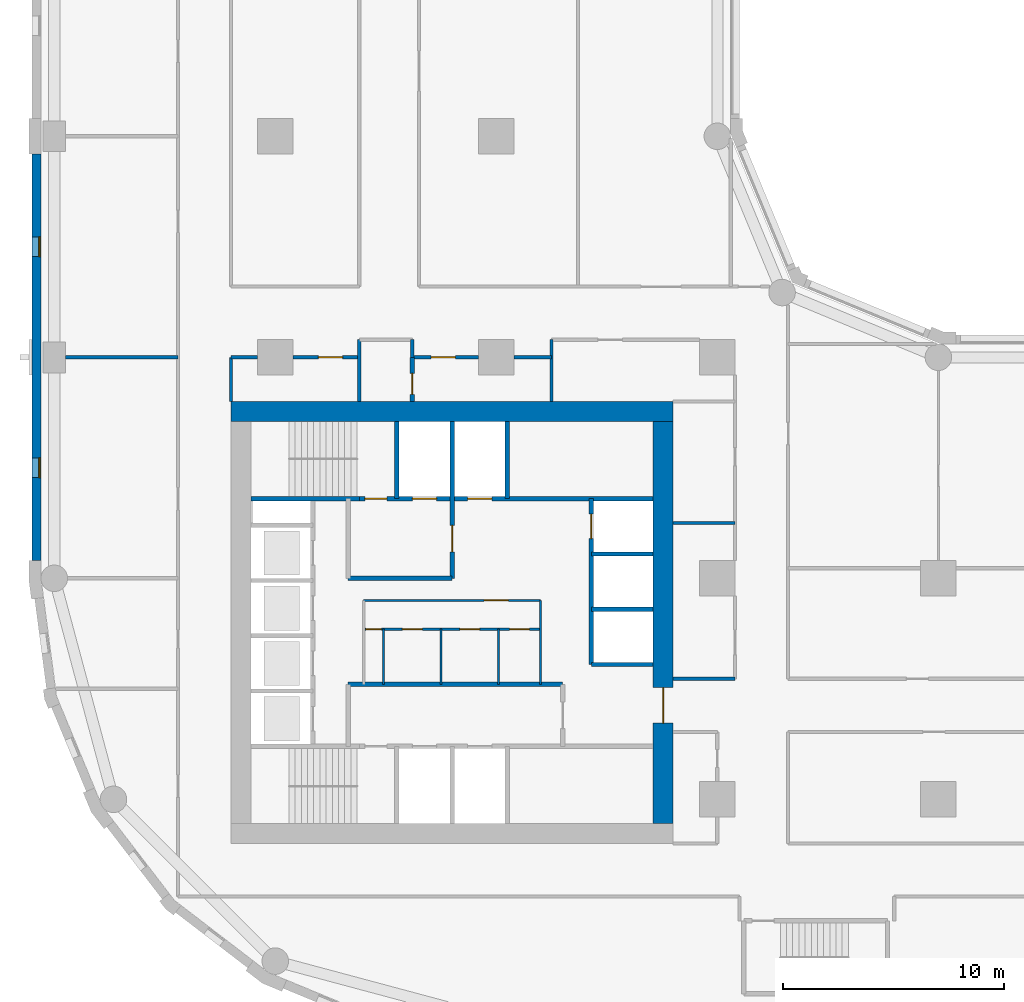
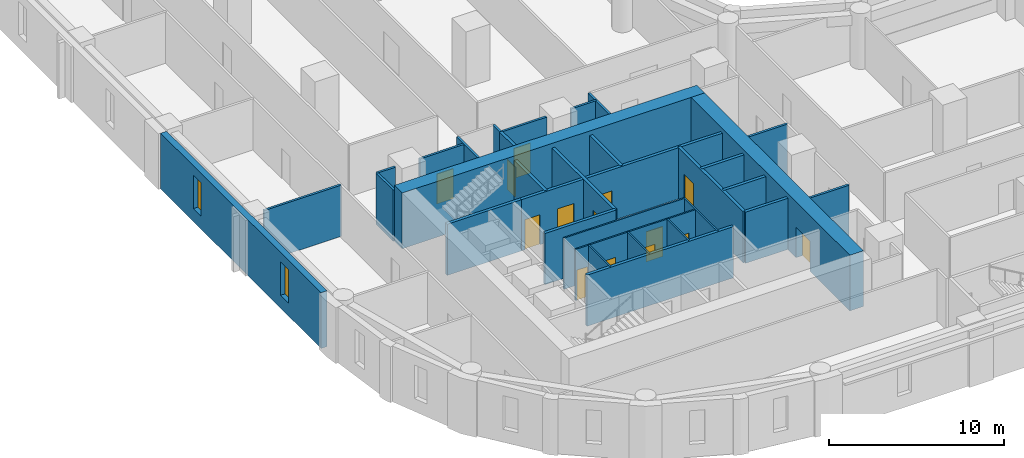
# One storey, part 3 of 10: 32 walls, 14 doors, 2 windows, 16 openings.
"""IFC4 building model written with IfcOpenShell, lengths in metres."""

import ifcopenshell
import ifcopenshell.guid

model = None  # the IFC model being written
_history = None  # IfcOwnerHistory: only IFC2X3 demands one
_inside = {}  # id of a spatial element -> (the spatial element, [elements in it])
_under = {}  # id of a project, library or spatial element -> (it, [spatial elements below it])
_declared = {}  # id of a project -> (the project, [libraries it declares])
_typed = {}  # id of a type object -> (the type object, [elements of that type])
_made_of = {}  # id of a material, layer set ... -> (it, [elements and type objects made of it])


def new_model(schema):
    """Start an empty IFC model of exactly this schema.

    Asked for "IFC4X3", IfcOpenShell would pick the latest addendum, in which some entities
    have other attributes; the version numbers below select the first issue.
    IFC2X3 requires an IfcOwnerHistory on every rooted entity: one is made here for all.
    """
    global model, _history
    if schema == "IFC4X3":
        model = ifcopenshell.file(schema_version=(4, 3, 0, 0))
    else:
        model = ifcopenshell.file(schema=schema)
    _inside.clear()
    _under.clear()
    _declared.clear()
    _typed.clear()
    _made_of.clear()
    _history = None
    if model.schema == "IFC2X3":
        org = make("IfcOrganization", Name="unknown")
        user = make(
            "IfcPersonAndOrganization",
            ThePerson=make("IfcPerson", FamilyName="unknown"),
            TheOrganization=org,
        )
        app = make(
            "IfcApplication",
            ApplicationDeveloper=org,
            Version="unknown",
            ApplicationFullName="unknown",
            ApplicationIdentifier="unknown",
        )
        _history = make(
            "IfcOwnerHistory",
            OwningUser=user,
            OwningApplication=app,
            ChangeAction="ADDED",
            CreationDate=0,
        )
    return model


def make(cls, **values):
    """One entity of the class cls with the attributes given. An attribute that is None is left unset."""
    return model.create_entity(
        cls, **{name: value for name, value in values.items() if value is not None}
    )


def rooted(cls, **values):
    """An entity with a GlobalId (a new one), such as an element, a storey or a relation."""
    return make(cls, GlobalId=ifcopenshell.guid.new(), OwnerHistory=_history, **values)


def si_unit(unit_type, name, prefix=None):
    """IfcSIUnit, for example si_unit("LENGTHUNIT", "METRE", prefix="MILLI")."""
    return make("IfcSIUnit", UnitType=unit_type, Prefix=prefix, Name=name)


def assignment(units):
    """IfcUnitAssignment: the units of a project."""
    return None if units is None else make("IfcUnitAssignment", Units=units)


def point(xyz):
    """IfcCartesianPoint."""
    return None if xyz is None else make("IfcCartesianPoint", Coordinates=xyz)


def direction(xyz):
    """IfcDirection."""
    return None if xyz is None else make("IfcDirection", DirectionRatios=xyz)


def frame(location, z_axis=None, x_axis=None):
    """IfcAxis2Placement3D, a coordinate frame: its origin and axes. An axis left out is left unset."""
    return make(
        "IfcAxis2Placement3D",
        Location=point(location),
        Axis=direction(z_axis),
        RefDirection=direction(x_axis),
    )


def frame_2d(location, x_axis=None):
    """IfcAxis2Placement2D, a coordinate frame in the plane: its origin and x axis."""
    return make(
        "IfcAxis2Placement2D", Location=point(location), RefDirection=direction(x_axis)
    )


def origin():
    """The frame at (0, 0, 0) with its axes left unset."""
    return frame((0.0, 0.0, 0.0))


def place(relative_to, where):
    """IfcLocalPlacement: puts the frame where relative to a parent placement (None: the world)."""
    return make(
        "IfcLocalPlacement", PlacementRelTo=relative_to, RelativePlacement=where
    )


def context(
    kind, dimensions, precision=None, world=None, true_north=None, identifier=None
):
    """IfcGeometricRepresentationContext, for example the 3D "Model" context."""
    return make(
        "IfcGeometricRepresentationContext",
        ContextIdentifier=identifier,
        ContextType=kind,
        CoordinateSpaceDimension=dimensions,
        Precision=precision,
        WorldCoordinateSystem=world,
        TrueNorth=true_north,
    )


def subcontext(parent, identifier, kind, view, scale=None):
    """IfcGeometricRepresentationSubContext, for example "Body" below "Model"."""
    return make(
        "IfcGeometricRepresentationSubContext",
        ContextIdentifier=identifier,
        ContextType=kind,
        ParentContext=parent,
        TargetScale=scale,
        TargetView=view,
    )


def project(units=None, contexts=None):
    """IfcProject with its units and contexts."""
    return rooted(
        "IfcProject",
        Name="project",
        RepresentationContexts=contexts,
        UnitsInContext=assignment(units),
    )


def spatial(cls, under=None, at=None, **own):
    """A site, building, storey or space (cls), placed at a placement, below another one or the project."""
    s = rooted(cls, ObjectPlacement=at, **own)
    if under is not None:
        _under.setdefault(under.id(), (under, []))[1].append(s)
    return s


def profile(cls, at=None, kind="AREA", **sizes):
    """A parametric profile (cls). Its sizes go by their IFC names, for example OverallWidth=200.0."""
    return make(cls, ProfileType=kind, Position=at, **sizes)


def rectangle(**sizes):
    """IfcRectangleProfileDef."""
    return profile("IfcRectangleProfileDef", **sizes)


def extrude(swept, where, along, depth):
    """IfcExtrudedAreaSolid: the profile swept, set in the frame where, extruded along a direction by depth."""
    return make(
        "IfcExtrudedAreaSolid",
        SweptArea=swept,
        Position=where,
        ExtrudedDirection=direction(along),
        Depth=depth,
    )


def shape(context_of_items, identifier, shape_type, items):
    """IfcShapeRepresentation: the items that make up one representation, for example the "Body"."""
    return make(
        "IfcShapeRepresentation",
        ContextOfItems=context_of_items,
        RepresentationIdentifier=identifier,
        RepresentationType=shape_type,
        Items=items,
    )


def material(Name=None, Category=None):
    """IfcMaterial."""
    return make("IfcMaterial", Name=Name, Category=Category)


def layer(
    of_material, thickness, ventilated=None, Name=None, Category=None, Priority=None
):
    """IfcMaterialLayer: one layer of a wall or slab, of a material (None: an air gap)."""
    return make(
        "IfcMaterialLayer",
        Material=of_material,
        LayerThickness=thickness,
        IsVentilated=ventilated,
        Name=Name,
        Category=Category,
        Priority=Priority,
    )


def layer_set(layers, Name=None):
    """IfcMaterialLayerSet."""
    return make("IfcMaterialLayerSet", MaterialLayers=layers, LayerSetName=Name)


def made_of(thing, what):
    """Note that an element or type object is made of a material, layer set ...; save() writes the relation."""
    if what is not None:
        _made_of.setdefault(what.id(), (what, []))[1].append(thing)
    return thing


def type_object(cls, material=None, **own):
    """A type object (cls), such as IfcWallType, which elements share."""
    return made_of(rooted(cls, **own), material)


def element(
    cls,
    number,
    at=None,
    inside=None,
    cuts=None,
    type_object=None,
    material=None,
    context=None,
    identifier="Body",
    shape_type=None,
    held_by="IfcProductDefinitionShape",
    body=None,
    shapes=None,
    **own,
):
    """One element of the class cls, such as IfcWall. Its Tag is "e" and its number.

    at: its placement. inside: the storey or other place that contains it. cuts: it is an
    opening in that element (IfcRelVoidsElement). A single representation is given by context,
    identifier, shape_type and body (its items); several are given by shapes. held_by: the class
    of the entity that holds the representations. save() writes the other relations.
    """
    e = rooted(cls, Tag="e%d" % number, ObjectPlacement=at, **own)
    if body is not None:
        shapes = [shape(context, identifier, shape_type, body)]
    if shapes is not None:
        e.Representation = make(held_by, Representations=shapes)
    if inside is not None:
        _inside.setdefault(inside.id(), (inside, []))[1].append(e)
    if cuts is not None:
        rooted(
            "IfcRelVoidsElement", RelatingBuildingElement=cuts, RelatedOpeningElement=e
        )
    if type_object is not None:
        _typed.setdefault(type_object.id(), (type_object, []))[1].append(e)
    return made_of(e, material)


def fill(opening, filler):
    """IfcRelFillsElement: the door or window that sits in an opening."""
    return rooted(
        "IfcRelFillsElement",
        RelatingOpeningElement=opening,
        RelatedBuildingElement=filler,
    )


def aggregate(whole, parts):
    """IfcRelAggregates: a whole, such as a stair, and the parts it consists of."""
    return rooted("IfcRelAggregates", RelatingObject=whole, RelatedObjects=parts)


def save(model, path):
    """Write the relations noted so far, then the file.

    IfcRelAggregates (storeys below a building ...), IfcRelContainedInSpatialStructure (elements
    in a storey), IfcRelDefinesByType, IfcRelAssociatesMaterial and IfcRelDeclares: one each for
    every whole, place, type object, material and project.
    """
    for whole, parts in _under.values():
        aggregate(whole, parts)
    for where, things in _inside.values():
        rooted(
            "IfcRelContainedInSpatialStructure",
            RelatedElements=things,
            RelatingStructure=where,
        )
    for kind, things in _typed.values():
        rooted("IfcRelDefinesByType", RelatedObjects=things, RelatingType=kind)
    for what, things in _made_of.values():
        rooted("IfcRelAssociatesMaterial", RelatedObjects=things, RelatingMaterial=what)
    for by, libraries in _declared.values():
        rooted("IfcRelDeclares", RelatingContext=by, RelatedDefinitions=libraries)
    model.write(path)


model = new_model("IFC4")

# Units and contexts
model_context = context("Model", 3, precision=1e-05, world=origin(), true_north=direction((0.0, 1.0)))
body_context = subcontext(model_context, "Body", "Model", "MODEL_VIEW")
ifc_project = project(units=[si_unit("LENGTHUNIT", "METRE"), si_unit("AREAUNIT", "SQUARE_METRE"), si_unit("VOLUMEUNIT", "CUBIC_METRE"), si_unit("PLANEANGLEUNIT", "RADIAN"), si_unit("MASSUNIT", "GRAM", prefix="KILO")], contexts=[model_context])

# Site, building, storey
site_placement = place(None, origin())
site = spatial("IfcSite", under=ifc_project, at=site_placement, CompositionType="ELEMENT")
building_placement = place(site_placement, origin())
building = spatial("IfcBuilding", under=site, at=building_placement, Name="Qaws Garden Tower", CompositionType="ELEMENT")
storey_placement = place(building_placement, frame((0.0, 0.0, 78.300048828125)))
storey = spatial("IfcBuildingStorey", under=building, at=storey_placement, Name="L19", CompositionType="ELEMENT", Elevation=78.300048828125)

# Wall, opening, door
ifc_material_1 = material(Name="Blockwork", Category="masonry")
ifc_layer_1 = layer(ifc_material_1, 0.199951171875)
ifc_layer_set_1 = layer_set([ifc_layer_1], Name="Blockwork")
wall_type_1 = type_object("IfcWallType", Name="BLOCK WALL 200 EI 60", PredefinedType="PARTITIONING", material=ifc_layer_set_1)
wall_1_placement = place(storey_placement, frame((16.199951171875, 28.0, 0.0), z_axis=(0.0, 0.0, 1.0), x_axis=(0.0, 1.0, 0.0)))
wall_1 = element("IfcWall", 1, at=wall_1_placement, inside=storey, type_object=wall_type_1, Name="O-L19-wall-066", PredefinedType="PARTITIONING", context=body_context, shape_type="SweptSolid", body=[
    extrude(rectangle(XDim=2.0, YDim=0.199951171875, at=frame_2d((1.0, 0.0))), origin(), (0.0, 0.0, 1.0), 3.579833984375),
])
opening_1_placement = place(wall_1_placement, frame((0.324951171875, 0.0, 0.0)))
opening_1 = element("IfcOpeningElement", 2, at=opening_1_placement, cuts=wall_1, Name="Opening A629", PredefinedType="OPENING", context=body_context, shape_type="SweptSolid", body=[
    extrude(rectangle(XDim=0.949951171875, YDim=2.10009765625, at=frame_2d((0.47509765625, 1.050048828125))), frame((0.0, 0.10986328125, 0.0), z_axis=(0.0, -1.0, 0.0), x_axis=(1.0, 0.0, 0.0)), (0.0, 0.0, 1.0), 0.219970703125),
])
ifc_material_2 = material(Name="Timber and glass door leaf", Category="wood")
door_type_1 = type_object("IfcDoorType", Name="GLAZED DOOR 950 X 2100", OperationType="SINGLE_SWING_LEFT", PredefinedType="DOOR", material=ifc_material_2)
door_1_placement = place(opening_1_placement, origin())
door_1 = element("IfcDoor", 3, at=door_1_placement, inside=storey, type_object=door_type_1, Name="O-L19-door-029", OperationType="SINGLE_SWING_LEFT", OverallHeight=2.10009765625, OverallWidth=0.949951171875, PredefinedType="DOOR", context=body_context, shape_type="SweptSolid", body=[
    extrude(rectangle(XDim=0.949951171875, YDim=2.10009765625, at=frame_2d((0.47509765625, 1.050048828125))), frame((0.0, 0.02490234375, 0.0), z_axis=(0.0, -1.0, 0.0), x_axis=(1.0, 0.0, 0.0)), (0.0, 0.0, 1.0), 0.050048828125),
])
fill(opening_1, door_1)

# Wall, openings, windows
ifc_material_3 = material(Name="Clay facing brick masonry", Category="masonry")
ifc_layer_2 = layer(ifc_material_3, 0.39990234375)
ifc_layer_set_2 = layer_set([ifc_layer_2], Name="Clay facing brick masonry")
wall_type_2 = type_object("IfcWallType", Name="Brick infill wall 400", PredefinedType="SOLIDWALL", material=ifc_layer_set_2)
wall_2_placement = place(storey_placement, frame((-0.800048828125, 39.199951171875, 0.0), z_axis=(0.0, 0.0, 1.0), x_axis=(0.0, -1.0, 0.0)))
wall_2 = element("IfcWall", 4, at=wall_2_placement, inside=storey, type_object=wall_type_2, Name="E-L19-infill-25", PredefinedType="SOLIDWALL", context=body_context, shape_type="SweptSolid", body=[
    extrude(rectangle(XDim=18.39990234375, YDim=0.39990234375, at=frame_2d((9.199951171875, 0.0))), origin(), (0.0, 0.0, 1.0), 3.89990234375),
])
opening_2_placement = place(wall_2_placement, frame((3.75, 0.0, 0.89990234375)))
opening_2 = element("IfcOpeningElement", 5, at=opening_2_placement, cuts=wall_2, Name="Opening W09", PredefinedType="OPENING", context=body_context, shape_type="SweptSolid", body=[
    extrude(rectangle(XDim=0.89990234375, YDim=2.35009765625, at=frame_2d((0.449951171875, 1.175048828125))), frame((0.0, 0.2099609375, 0.0), z_axis=(0.0, -1.0, 0.0), x_axis=(1.0, 0.0, 0.0)), (0.0, 0.0, 1.0), 0.419921875),
])
opening_3_placement = place(wall_2_placement, frame((13.75, 0.0, 0.89990234375)))
opening_3 = element("IfcOpeningElement", 6, at=opening_3_placement, cuts=wall_2, Name="Opening W09", PredefinedType="OPENING", context=body_context, shape_type="SweptSolid", body=[
    extrude(rectangle(XDim=0.89990234375, YDim=2.35009765625, at=frame_2d((0.449951171875, 1.175048828125))), frame((0.0, 0.2099609375, 0.0), z_axis=(0.0, -1.0, 0.0), x_axis=(1.0, 0.0, 0.0)), (0.0, 0.0, 1.0), 0.419921875),
])
ifc_material_4 = material(Name="Aluminium framed window, clear glazing", Category="aluminium")
window_type = type_object("IfcWindowType", Name="Slit window 900 x 2350", PartitioningType="SINGLE_PANEL", PredefinedType="WINDOW", material=ifc_material_4)
window_1_placement = place(opening_2_placement, origin())
window_1 = element("IfcWindow", 7, at=window_1_placement, inside=storey, type_object=window_type, Name="E-L19-window-25-0", OverallHeight=2.35009765625, OverallWidth=0.89990234375, PartitioningType="SINGLE_PANEL", PredefinedType="WINDOW", context=body_context, shape_type="SweptSolid", body=[
    extrude(rectangle(XDim=0.89990234375, YDim=2.35009765625, at=frame_2d((0.449951171875, 1.175048828125))), frame((0.0, 0.159912109375, 0.0), z_axis=(0.0, -1.0, 0.0), x_axis=(1.0, 0.0, 0.0)), (0.0, 0.0, 1.0), 0.06005859375),
])
fill(opening_2, window_1)
window_2_placement = place(opening_3_placement, origin())
window_2 = element("IfcWindow", 8, at=window_2_placement, inside=storey, type_object=window_type, Name="E-L19-window-26-0", OverallHeight=2.35009765625, OverallWidth=0.89990234375, PartitioningType="SINGLE_PANEL", PredefinedType="WINDOW", context=body_context, shape_type="SweptSolid", body=[
    extrude(rectangle(XDim=0.89990234375, YDim=2.35009765625, at=frame_2d((0.449951171875, 1.175048828125))), frame((0.0, 0.159912109375, 0.0), z_axis=(0.0, -1.0, 0.0), x_axis=(1.0, 0.0, 0.0)), (0.0, 0.0, 1.0), 0.06005859375),
])
fill(opening_3, window_2)

# Wall, openings, doors
ifc_material_5 = material(Name="Plasterboard")
ifc_layer_3 = layer(ifc_material_5, 0.10009765625)
ifc_layer_set_3 = layer_set([ifc_layer_3], Name="Plasterboard")
wall_type_3 = type_object("IfcWallType", Name="Core partition 100", PredefinedType="PARTITIONING", material=ifc_layer_set_3)
wall_3_placement = place(storey_placement, frame((14.0, 17.699951171875, 0.0), z_axis=(0.0, 0.0, 1.0), x_axis=(1.0, 0.0, 0.0)))
wall_3 = element("IfcWall", 9, at=wall_3_placement, inside=storey, type_object=wall_type_3, Name="Core partition", PredefinedType="PARTITIONING", context=body_context, shape_type="SweptSolid", body=[
    extrude(rectangle(XDim=8.0, YDim=0.10009765625, at=frame_2d((4.0, 0.0))), origin(), (0.0, 0.0, 1.0), 3.579833984375),
])
opening_4_placement = place(wall_3_placement, frame((0.10009765625, 0.0, 0.0)))
opening_4 = element("IfcOpeningElement", 10, at=opening_4_placement, cuts=wall_3, Name="Opening XD18", PredefinedType="OPENING", context=body_context, shape_type="SweptSolid", body=[
    extrude(rectangle(XDim=0.699951171875, YDim=2.10009765625, at=frame_2d((0.35009765625, 1.050048828125))), frame((0.0, 0.06005859375, 0.0), z_axis=(0.0, -1.0, 0.0), x_axis=(1.0, 0.0, 0.0)), (0.0, 0.0, 1.0), 0.1201171875),
])
opening_5_placement = place(wall_3_placement, frame((1.75, 0.0, 0.0)))
opening_5 = element("IfcOpeningElement", 11, at=opening_5_placement, cuts=wall_3, Name="Opening WD19", PredefinedType="OPENING", context=body_context, shape_type="SweptSolid", body=[
    extrude(rectangle(XDim=0.89990234375, YDim=2.10009765625, at=frame_2d((0.449951171875, 1.050048828125))), frame((0.0, 0.06005859375, 0.0), z_axis=(0.0, -1.0, 0.0), x_axis=(1.0, 0.0, 0.0)), (0.0, 0.0, 1.0), 0.1201171875),
])
opening_6_placement = place(wall_3_placement, frame((4.35009765625, 0.0, 0.0)))
opening_6 = element("IfcOpeningElement", 12, at=opening_6_placement, cuts=wall_3, Name="Opening WD20", PredefinedType="OPENING", context=body_context, shape_type="SweptSolid", body=[
    extrude(rectangle(XDim=0.89990234375, YDim=2.10009765625, at=frame_2d((0.449951171875, 1.050048828125))), frame((0.0, 0.06005859375, 0.0), z_axis=(0.0, -1.0, 0.0), x_axis=(1.0, 0.0, 0.0)), (0.0, 0.0, 1.0), 0.1201171875),
])
opening_7_placement = place(wall_3_placement, frame((6.60009765625, 0.0, 0.0)))
opening_7 = element("IfcOpeningElement", 13, at=opening_7_placement, cuts=wall_3, Name="Opening WD21", PredefinedType="OPENING", context=body_context, shape_type="SweptSolid", body=[
    extrude(rectangle(XDim=0.89990234375, YDim=2.10009765625, at=frame_2d((0.449951171875, 1.050048828125))), frame((0.0, 0.06005859375, 0.0), z_axis=(0.0, -1.0, 0.0), x_axis=(1.0, 0.0, 0.0)), (0.0, 0.0, 1.0), 0.1201171875),
])
ifc_material_6 = material(Name="Timber", Category="wood")
door_type_2 = type_object("IfcDoorType", Name="Store door 700x2100", OperationType="SINGLE_SWING_LEFT", PredefinedType="DOOR", material=ifc_material_6)
door_2_placement = place(opening_4_placement, frame((0.699951171875, 0.0, 0.0), z_axis=(0.0, 0.0, 1.0), x_axis=(-1.0, 0.0, 0.0)))
door_2 = element("IfcDoor", 14, at=door_2_placement, inside=storey, type_object=door_type_2, Name="Cleaner's store door", OperationType="SINGLE_SWING_LEFT", OverallHeight=2.10009765625, OverallWidth=0.699951171875, PredefinedType="DOOR", context=body_context, shape_type="SweptSolid", body=[
    extrude(rectangle(XDim=0.699951171875, YDim=2.10009765625, at=frame_2d((0.35009765625, 1.050048828125))), frame((0.0, 0.02490234375, 0.0), z_axis=(0.0, -1.0, 0.0), x_axis=(1.0, 0.0, 0.0)), (0.0, 0.0, 1.0), 0.050048828125),
])
fill(opening_4, door_2)
ifc_material_7 = material(Name="Timber", Category="wood")
door_type_3 = type_object("IfcDoorType", Name="WC door 900x2100", OperationType="SINGLE_SWING_LEFT", PredefinedType="DOOR", material=ifc_material_7)
door_3_placement = place(opening_5_placement, frame((0.89990234375, 0.0, 0.0), z_axis=(0.0, 0.0, 1.0), x_axis=(-1.0, 0.0, 0.0)))
door_3 = element("IfcDoor", 15, at=door_3_placement, inside=storey, type_object=door_type_3, Name="Men's WC door", OperationType="SINGLE_SWING_LEFT", OverallHeight=2.10009765625, OverallWidth=0.89990234375, PredefinedType="DOOR", context=body_context, shape_type="SweptSolid", body=[
    extrude(rectangle(XDim=0.89990234375, YDim=2.10009765625, at=frame_2d((0.449951171875, 1.050048828125))), frame((0.0, 0.02490234375, 0.0), z_axis=(0.0, -1.0, 0.0), x_axis=(1.0, 0.0, 0.0)), (0.0, 0.0, 1.0), 0.050048828125),
])
fill(opening_5, door_3)
door_4_placement = place(opening_6_placement, frame((0.89990234375, 0.0, 0.0), z_axis=(0.0, 0.0, 1.0), x_axis=(-1.0, 0.0, 0.0)))
door_4 = element("IfcDoor", 16, at=door_4_placement, inside=storey, type_object=door_type_3, Name="Women's WC door", OperationType="SINGLE_SWING_LEFT", OverallHeight=2.10009765625, OverallWidth=0.89990234375, PredefinedType="DOOR", context=body_context, shape_type="SweptSolid", body=[
    extrude(rectangle(XDim=0.89990234375, YDim=2.10009765625, at=frame_2d((0.449951171875, 1.050048828125))), frame((0.0, 0.02490234375, 0.0), z_axis=(0.0, -1.0, 0.0), x_axis=(1.0, 0.0, 0.0)), (0.0, 0.0, 1.0), 0.050048828125),
])
fill(opening_6, door_4)
door_5_placement = place(opening_7_placement, frame((0.89990234375, 0.0, 0.0), z_axis=(0.0, 0.0, 1.0), x_axis=(-1.0, 0.0, 0.0)))
door_5 = element("IfcDoor", 17, at=door_5_placement, inside=storey, type_object=door_type_3, Name="Accessible WC door", OperationType="SINGLE_SWING_LEFT", OverallHeight=2.10009765625, OverallWidth=0.89990234375, PredefinedType="DOOR", context=body_context, shape_type="SweptSolid", body=[
    extrude(rectangle(XDim=0.89990234375, YDim=2.10009765625, at=frame_2d((0.449951171875, 1.050048828125))), frame((0.0, 0.02490234375, 0.0), z_axis=(0.0, -1.0, 0.0), x_axis=(1.0, 0.0, 0.0)), (0.0, 0.0, 1.0), 0.050048828125),
])
fill(opening_7, door_5)

# Wall, opening, door
wall_4_placement = place(storey_placement, frame((14.0, 19.0, 0.0), z_axis=(0.0, 0.0, 1.0), x_axis=(1.0, 0.0, 0.0)))
wall_4 = element("IfcWall", 18, at=wall_4_placement, inside=storey, type_object=wall_type_3, Name="Core partition", PredefinedType="PARTITIONING", context=body_context, shape_type="SweptSolid", body=[
    extrude(rectangle(XDim=8.0, YDim=0.10009765625, at=frame_2d((4.0, 0.0))), origin(), (0.0, 0.0, 1.0), 3.579833984375),
])
opening_8_placement = place(wall_4_placement, frame((5.449951171875, 0.0, 0.0)))
opening_8 = element("IfcOpeningElement", 19, at=opening_8_placement, cuts=wall_4, Name="Opening WL17", PredefinedType="OPENING", context=body_context, shape_type="SweptSolid", body=[
    extrude(rectangle(XDim=1.10009765625, YDim=2.10009765625, at=frame_2d((0.550048828125, 1.050048828125))), frame((0.0, 0.06005859375, 0.0), z_axis=(0.0, -1.0, 0.0), x_axis=(1.0, 0.0, 0.0)), (0.0, 0.0, 1.0), 0.1201171875),
])
ifc_material_8 = material(Name="Timber", Category="wood")
door_type_4 = type_object("IfcDoorType", Name="WC lobby door 1100x2100", OperationType="SINGLE_SWING_LEFT", PredefinedType="DOOR", material=ifc_material_8)
door_6_placement = place(opening_8_placement, frame((1.10009765625, 0.0, 0.0), z_axis=(0.0, 0.0, 1.0), x_axis=(-1.0, 0.0, 0.0)))
door_6 = element("IfcDoor", 20, at=door_6_placement, inside=storey, type_object=door_type_4, Name="WC lobby door", OperationType="SINGLE_SWING_LEFT", OverallHeight=2.10009765625, OverallWidth=1.10009765625, PredefinedType="DOOR", context=body_context, shape_type="SweptSolid", body=[
    extrude(rectangle(XDim=1.10009765625, YDim=2.10009765625, at=frame_2d((0.550048828125, 1.050048828125))), frame((0.0, 0.02490234375, 0.0), z_axis=(0.0, -1.0, 0.0), x_axis=(1.0, 0.0, 0.0)), (0.0, 0.0, 1.0), 0.050048828125),
])
fill(opening_8, door_6)

# Walls
for number, where, z_axis, x_axis, name in (
    (21, (14.89990234375, 15.199951171875, 0.0), (0.0, 0.0, 1.0), (0.0, 1.0, 0.0), "Core partition"),
    (22, (17.5, 15.199951171875, 0.0), (0.0, 0.0, 1.0), (0.0, 1.0, 0.0), "Core partition"),
    (23, (20.10009765625, 15.199951171875, 0.0), (0.0, 0.0, 1.0), (0.0, 1.0, 0.0), "Core partition"),
):
    element("IfcWall", number, at=place(storey_placement, frame(where, z_axis=z_axis, x_axis=x_axis)), inside=storey, type_object=wall_type_3, Name=name, PredefinedType="PARTITIONING", context=body_context, shape_type="SweptSolid", body=[
        extrude(rectangle(XDim=2.5, YDim=0.10009765625, at=frame_2d((1.25, 0.0))), origin(), (0.0, 0.0, 1.0), 3.579833984375),
    ])
wall_5_placement = place(storey_placement, frame((22.0, 15.199951171875, 0.0), z_axis=(0.0, 0.0, 1.0), x_axis=(0.0, 1.0, 0.0)))
element("IfcWall", 24, at=wall_5_placement, inside=storey, type_object=wall_type_3, Name="Core partition", PredefinedType="PARTITIONING", context=body_context, shape_type="SweptSolid", body=[
    extrude(rectangle(XDim=3.800048828125, YDim=0.10009765625, at=frame_2d((1.89990234375, 0.0))), origin(), (0.0, 0.0, 1.0), 3.579833984375),
])
ifc_material_9 = material(Name="Concrete C80", Category="concrete")
ifc_layer_4 = layer(ifc_material_9, 0.199951171875)
ifc_layer_set_4 = layer_set([ifc_layer_4], Name="Concrete C80")
wall_type_4 = type_object("IfcWallType", Name="Core shaft wall 200 C80", PredefinedType="SHEAR", material=ifc_layer_set_4)
wall_6_placement = place(storey_placement, frame((13.300048828125, 15.199951171875, 0.0), z_axis=(0.0, 0.0, 1.0), x_axis=(1.0, 0.0, 0.0)))
element("IfcWall", 25, at=wall_6_placement, inside=storey, type_object=wall_type_4, Name="Shaft wall", PredefinedType="SHEAR", context=body_context, shape_type="SweptSolid", body=[
    extrude(rectangle(XDim=9.699951171875, YDim=0.199951171875, at=frame_2d((4.85009765625, 0.0))), origin(), (0.0, 0.0, 1.0), 3.579833984375),
])
for number, where, z_axis, x_axis, name in (
    (26, (24.300048828125, 16.10009765625, 0.0), (0.0, 0.0, 1.0), (1.0, 0.0, 0.0), "Shaft wall"),
    (27, (24.300048828125, 18.60009765625, 0.0), (0.0, 0.0, 1.0), (1.0, 0.0, 0.0), "Shaft wall"),
):
    element("IfcWall", number, at=place(storey_placement, frame(where, z_axis=z_axis, x_axis=x_axis)), inside=storey, type_object=wall_type_4, Name=name, PredefinedType="SHEAR", context=body_context, shape_type="SweptSolid", body=[
        extrude(rectangle(XDim=2.800048828125, YDim=0.199951171875, at=frame_2d((1.39990234375, 0.0))), origin(), (0.0, 0.0, 1.0), 3.579833984375),
    ])
wall_7_placement = place(storey_placement, frame((13.300048828125, 20.0, 0.0), z_axis=(0.0, 0.0, 1.0), x_axis=(1.0, 0.0, 0.0)))
element("IfcWall", 28, at=wall_7_placement, inside=storey, type_object=wall_type_4, Name="Shaft wall", PredefinedType="SHEAR", context=body_context, shape_type="SweptSolid", body=[
    extrude(rectangle(XDim=4.699951171875, YDim=0.199951171875, at=frame_2d((2.35009765625, 0.0))), origin(), (0.0, 0.0, 1.0), 3.579833984375),
])
wall_8_placement = place(storey_placement, frame((24.300048828125, 21.10009765625, 0.0), z_axis=(0.0, 0.0, 1.0), x_axis=(1.0, 0.0, 0.0)))
element("IfcWall", 29, at=wall_8_placement, inside=storey, type_object=wall_type_4, Name="Shaft wall", PredefinedType="SHEAR", context=body_context, shape_type="SweptSolid", body=[
    extrude(rectangle(XDim=2.800048828125, YDim=0.199951171875, at=frame_2d((1.39990234375, 0.0))), origin(), (0.0, 0.0, 1.0), 3.579833984375),
])
wall_9_placement = place(storey_placement, frame((8.89990234375, 23.60009765625, 0.0), z_axis=(0.0, 0.0, 1.0), x_axis=(1.0, 0.0, 0.0)))
element("IfcWall", 30, at=wall_9_placement, inside=storey, type_object=wall_type_4, Name="Shaft wall", PredefinedType="SHEAR", context=body_context, shape_type="SweptSolid", body=[
    extrude(rectangle(XDim=4.900146484375, YDim=0.199951171875, at=frame_2d((2.4501953125, 0.0))), origin(), (0.0, 0.0, 1.0), 3.579833984375),
])

# Wall, openings, doors
wall_10_placement = place(storey_placement, frame((13.800048828125, 23.60009765625, 0.0), z_axis=(0.0, 0.0, 1.0), x_axis=(1.0, 0.0, 0.0)))
wall_10 = element("IfcWall", 31, at=wall_10_placement, inside=storey, type_object=wall_type_4, Name="Shaft wall", PredefinedType="SHEAR", context=body_context, shape_type="SweptSolid", body=[
    extrude(rectangle(XDim=13.300048828125, YDim=0.199951171875, at=frame_2d((6.64990234375, 0.0))), origin(), (0.0, 0.0, 1.0), 3.579833984375),
])
opening_9_placement = place(wall_10_placement, frame((2.39990234375, 0.0, 0.0)))
opening_9 = element("IfcOpeningElement", 32, at=opening_9_placement, cuts=wall_10, Name="Opening LD08", PredefinedType="OPENING", context=body_context, shape_type="SweptSolid", body=[
    extrude(rectangle(XDim=1.10009765625, YDim=2.10009765625, at=frame_2d((0.550048828125, 1.050048828125))), frame((0.0, 0.10986328125, 0.0), z_axis=(0.0, -1.0, 0.0), x_axis=(1.0, 0.0, 0.0)), (0.0, 0.0, 1.0), 0.219970703125),
])
opening_10_placement = place(wall_10_placement, frame((4.89990234375, 0.0, 0.0)))
opening_10 = element("IfcOpeningElement", 33, at=opening_10_placement, cuts=wall_10, Name="Opening LD09", PredefinedType="OPENING", context=body_context, shape_type="SweptSolid", body=[
    extrude(rectangle(XDim=1.10009765625, YDim=2.10009765625, at=frame_2d((0.550048828125, 1.050048828125))), frame((0.0, 0.10986328125, 0.0), z_axis=(0.0, -1.0, 0.0), x_axis=(1.0, 0.0, 0.0)), (0.0, 0.0, 1.0), 0.219970703125),
])
opening_11_placement = place(wall_10_placement, frame((0.25, 0.0, 0.0)))
opening_11 = element("IfcOpeningElement", 34, at=opening_11_placement, cuts=wall_10, Name="Opening SD11", PredefinedType="OPENING", context=body_context, shape_type="SweptSolid", body=[
    extrude(rectangle(XDim=1.0, YDim=2.10009765625, at=frame_2d((0.5, 1.050048828125))), frame((0.0, 0.10986328125, 0.0), z_axis=(0.0, -1.0, 0.0), x_axis=(1.0, 0.0, 0.0)), (0.0, 0.0, 1.0), 0.219970703125),
])
ifc_material_10 = material(Name="Steel S235", Category="steel")
door_type_5 = type_object("IfcDoorType", Name="Landing door 1100x2100", OperationType="DOUBLE_DOOR_SLIDING", PredefinedType="DOOR", material=ifc_material_10)
door_7_placement = place(opening_9_placement, origin())
door_7 = element("IfcDoor", 35, at=door_7_placement, inside=storey, type_object=door_type_5, Name="Lift FF3 landing door", OperationType="DOUBLE_DOOR_SLIDING", OverallHeight=2.10009765625, OverallWidth=1.10009765625, PredefinedType="DOOR", context=body_context, shape_type="SweptSolid", body=[
    extrude(rectangle(XDim=1.10009765625, YDim=2.10009765625, at=frame_2d((0.550048828125, 1.050048828125))), frame((0.0, 0.02490234375, 0.0), z_axis=(0.0, -1.0, 0.0), x_axis=(1.0, 0.0, 0.0)), (0.0, 0.0, 1.0), 0.050048828125),
])
fill(opening_9, door_7)
door_8_placement = place(opening_10_placement, origin())
door_8 = element("IfcDoor", 36, at=door_8_placement, inside=storey, type_object=door_type_5, Name="Lift SV2 landing door", OperationType="DOUBLE_DOOR_SLIDING", OverallHeight=2.10009765625, OverallWidth=1.10009765625, PredefinedType="DOOR", context=body_context, shape_type="SweptSolid", body=[
    extrude(rectangle(XDim=1.10009765625, YDim=2.10009765625, at=frame_2d((0.550048828125, 1.050048828125))), frame((0.0, 0.02490234375, 0.0), z_axis=(0.0, -1.0, 0.0), x_axis=(1.0, 0.0, 0.0)), (0.0, 0.0, 1.0), 0.050048828125),
])
fill(opening_10, door_8)
ifc_material_11 = material(Name="Steel S235", Category="steel")
door_type_6 = type_object("IfcDoorType", Name="Stair door 1000x2100", OperationType="SINGLE_SWING_RIGHT", PredefinedType="DOOR", material=ifc_material_11)
door_9_placement = place(opening_11_placement, origin())
door_9 = element("IfcDoor", 37, at=door_9_placement, inside=storey, type_object=door_type_6, Name="Stair 4 door", OperationType="SINGLE_SWING_RIGHT", OverallHeight=2.10009765625, OverallWidth=1.0, PredefinedType="DOOR", context=body_context, shape_type="SweptSolid", body=[
    extrude(rectangle(XDim=1.0, YDim=2.10009765625, at=frame_2d((0.5, 1.050048828125))), frame((0.0, 0.02490234375, 0.0), z_axis=(0.0, -1.0, 0.0), x_axis=(1.0, 0.0, 0.0)), (0.0, 0.0, 1.0), 0.050048828125),
])
fill(opening_11, door_9)

# Wall
wall_11_placement = place(storey_placement, frame((15.5, 23.60009765625, 0.0), z_axis=(0.0, 0.0, 1.0), x_axis=(0.0, 1.0, 0.0)))
element("IfcWall", 38, at=wall_11_placement, inside=storey, type_object=wall_type_4, Name="Shaft wall", PredefinedType="SHEAR", context=body_context, shape_type="SweptSolid", body=[
    extrude(rectangle(XDim=3.5, YDim=0.199951171875, at=frame_2d((1.75, 0.0))), origin(), (0.0, 0.0, 1.0), 3.579833984375),
])

# Wall, opening, door
wall_12_placement = place(storey_placement, frame((18.0, 20.0, 0.0), z_axis=(0.0, 0.0, 1.0), x_axis=(0.0, 1.0, 0.0)))
wall_12 = element("IfcWall", 39, at=wall_12_placement, inside=storey, type_object=wall_type_4, Name="Shaft wall", PredefinedType="SHEAR", context=body_context, shape_type="SweptSolid", body=[
    extrude(rectangle(XDim=7.10009765625, YDim=0.199951171875, at=frame_2d((3.550048828125, 0.0))), origin(), (0.0, 0.0, 1.0), 3.579833984375),
])
opening_12_placement = place(wall_12_placement, frame((1.199951171875, 0.0, 0.0)))
opening_12 = element("IfcOpeningElement", 40, at=opening_12_placement, cuts=wall_12, Name="Opening FD16", PredefinedType="OPENING", context=body_context, shape_type="SweptSolid", body=[
    extrude(rectangle(XDim=1.199951171875, YDim=2.10009765625, at=frame_2d((0.60009765625, 1.050048828125))), frame((0.0, 0.10986328125, 0.0), z_axis=(0.0, -1.0, 0.0), x_axis=(1.0, 0.0, 0.0)), (0.0, 0.0, 1.0), 0.219970703125),
])
ifc_material_12 = material(Name="Steel S235", Category="steel")
door_type_7 = type_object("IfcDoorType", Name="Lobby door 1200x2100", OperationType="DOUBLE_DOOR_SINGLE_SWING", PredefinedType="DOOR", material=ifc_material_12)
door_10_placement = place(opening_12_placement, origin())
door_10 = element("IfcDoor", 41, at=door_10_placement, inside=storey, type_object=door_type_7, Name="Fire-fighting lobby door", OperationType="DOUBLE_DOOR_SINGLE_SWING", OverallHeight=2.10009765625, OverallWidth=1.199951171875, PredefinedType="DOOR", context=body_context, shape_type="SweptSolid", body=[
    extrude(rectangle(XDim=1.199951171875, YDim=2.10009765625, at=frame_2d((0.60009765625, 1.050048828125))), frame((0.0, 0.02490234375, 0.0), z_axis=(0.0, -1.0, 0.0), x_axis=(1.0, 0.0, 0.0)), (0.0, 0.0, 1.0), 0.050048828125),
])
fill(opening_12, door_10)

# Wall
wall_13_placement = place(storey_placement, frame((20.5, 23.60009765625, 0.0), z_axis=(0.0, 0.0, 1.0), x_axis=(0.0, 1.0, 0.0)))
element("IfcWall", 42, at=wall_13_placement, inside=storey, type_object=wall_type_4, Name="Shaft wall", PredefinedType="SHEAR", context=body_context, shape_type="SweptSolid", body=[
    extrude(rectangle(XDim=3.5, YDim=0.199951171875, at=frame_2d((1.75, 0.0))), origin(), (0.0, 0.0, 1.0), 3.579833984375),
])

# Wall, opening, door
wall_14_placement = place(storey_placement, frame((24.300048828125, 16.10009765625, 0.0), z_axis=(0.0, 0.0, 1.0), x_axis=(0.0, 1.0, 0.0)))
wall_14 = element("IfcWall", 43, at=wall_14_placement, inside=storey, type_object=wall_type_4, Name="Shaft wall", PredefinedType="SHEAR", context=body_context, shape_type="SweptSolid", body=[
    extrude(rectangle(XDim=7.5, YDim=0.199951171875, at=frame_2d((3.75, 0.0))), origin(), (0.0, 0.0, 1.0), 3.579833984375),
])
opening_13_placement = place(wall_14_placement, frame((5.699951171875, 0.0, 0.0)))
opening_13 = element("IfcOpeningElement", 44, at=opening_13_placement, cuts=wall_14, Name="Opening LD05", PredefinedType="OPENING", context=body_context, shape_type="SweptSolid", body=[
    extrude(rectangle(XDim=1.10009765625, YDim=2.10009765625, at=frame_2d((0.550048828125, 1.050048828125))), frame((0.0, 0.10986328125, 0.0), z_axis=(0.0, -1.0, 0.0), x_axis=(1.0, 0.0, 0.0)), (0.0, 0.0, 1.0), 0.219970703125),
])
door_11_placement = place(opening_13_placement, origin())
door_11 = element("IfcDoor", 45, at=door_11_placement, inside=storey, type_object=door_type_5, Name="Lift E3 landing door", OperationType="DOUBLE_DOOR_SLIDING", OverallHeight=2.10009765625, OverallWidth=1.10009765625, PredefinedType="DOOR", context=body_context, shape_type="SweptSolid", body=[
    extrude(rectangle(XDim=1.10009765625, YDim=2.10009765625, at=frame_2d((0.550048828125, 1.050048828125))), frame((0.0, 0.02490234375, 0.0), z_axis=(0.0, -1.0, 0.0), x_axis=(1.0, 0.0, 0.0)), (0.0, 0.0, 1.0), 0.050048828125),
])
fill(opening_13, door_11)

ifc_material_13 = material(Name="Concrete C80", Category="concrete")
ifc_layer_5 = layer(ifc_material_13, 0.89990234375)
ifc_layer_set_5 = layer_set([ifc_layer_5], Name="Concrete C80")
wall_type_5 = type_object("IfcWallType", Name="Core wall 900 C80", PredefinedType="SHEAR", material=ifc_layer_set_5)
wall_15_placement = place(storey_placement, frame((27.550048828125, 8.89990234375, 0.0), z_axis=(0.0, 0.0, 1.0), x_axis=(0.0, 1.0, 0.0)))
wall_15 = element("IfcWall", 46, at=wall_15_placement, inside=storey, type_object=wall_type_5, Name="Core wall L19 east", PredefinedType="SHEAR", context=body_context, shape_type="SweptSolid", body=[
    extrude(rectangle(XDim=18.2001953125, YDim=0.89990234375, at=frame_2d((9.10009765625, 0.0))), origin(), (0.0, 0.0, 1.0), 3.89990234375),
])
opening_14_placement = place(wall_15_placement, frame((4.550048828125, 0.0, 0.0)))
opening_14 = element("IfcOpeningElement", 47, at=opening_14_placement, cuts=wall_15, Name="Opening ED22", PredefinedType="OPENING", context=body_context, shape_type="SweptSolid", body=[
    extrude(rectangle(XDim=1.60009765625, YDim=2.10009765625, at=frame_2d((0.800048828125, 1.050048828125))), frame((0.0, 0.4599609375, 0.0), z_axis=(0.0, -1.0, 0.0), x_axis=(1.0, 0.0, 0.0)), (0.0, 0.0, 1.0), 0.919921875),
])
ifc_material_14 = material(Name="Steel S235", Category="steel")
door_type_8 = type_object("IfcDoorType", Name="Core entrance door 1600x2100", OperationType="DOUBLE_DOOR_SINGLE_SWING", PredefinedType="DOOR", material=ifc_material_14)
door_12_placement = place(opening_14_placement, origin())
door_12 = element("IfcDoor", 48, at=door_12_placement, inside=storey, type_object=door_type_8, Name="Core entrance door", OperationType="DOUBLE_DOOR_SINGLE_SWING", OverallHeight=2.10009765625, OverallWidth=1.60009765625, PredefinedType="DOOR", context=body_context, shape_type="SweptSolid", body=[
    extrude(rectangle(XDim=1.60009765625, YDim=2.10009765625, at=frame_2d((0.800048828125, 1.050048828125))), frame((0.0, 0.02490234375, 0.0), z_axis=(0.0, -1.0, 0.0), x_axis=(1.0, 0.0, 0.0)), (0.0, 0.0, 1.0), 0.050048828125),
])
fill(opening_14, door_12)

# Walls
wall_16_placement = place(storey_placement, frame((28.0, 27.550048828125, 0.0), z_axis=(0.0, 0.0, 1.0), x_axis=(-1.0, 0.0, 0.0)))
element("IfcWall", 49, at=wall_16_placement, inside=storey, type_object=wall_type_5, Name="Core wall L19 north", PredefinedType="SHEAR", context=body_context, shape_type="SweptSolid", body=[
    extrude(rectangle(XDim=20.0, YDim=0.89990234375, at=frame_2d((10.0, 0.0))), origin(), (0.0, 0.0, 1.0), 3.89990234375),
])
ifc_material_15 = material(Name="Gypsum board partition")
ifc_layer_6 = layer(ifc_material_15, 0.14990234375)
ifc_layer_set_6 = layer_set([ifc_layer_6], Name="Gypsum board partition")
wall_type_6 = type_object("IfcWallType", Name="PARTITION 150 EI 60", PredefinedType="PARTITIONING", material=ifc_layer_set_6)
wall_17_placement = place(storey_placement, frame((8.0, 28.0, 0.0), z_axis=(0.0, 0.0, 1.0), x_axis=(0.0, 1.0, 0.0)))
element("IfcWall", 50, at=wall_17_placement, inside=storey, type_object=wall_type_6, Name="O-L19-wall-005", PredefinedType="PARTITIONING", context=body_context, shape_type="SweptSolid", body=[
    extrude(rectangle(XDim=2.0, YDim=0.14990234375, at=frame_2d((1.0, 0.0))), origin(), (0.0, 0.0, 1.0), 3.579833984375),
])
wall_18_placement = place(storey_placement, frame((13.800048828125, 28.0, 0.0), z_axis=(0.0, 0.0, 1.0), x_axis=(0.0, 1.0, 0.0)))
element("IfcWall", 51, at=wall_18_placement, inside=storey, type_object=wall_type_6, Name="O-L19-wall-008", PredefinedType="PARTITIONING", context=body_context, shape_type="SweptSolid", body=[
    extrude(rectangle(XDim=2.800048828125, YDim=0.14990234375, at=frame_2d((1.39990234375, 0.0))), origin(), (0.0, 0.0, 1.0), 3.579833984375),
])
wall_19_placement = place(storey_placement, frame((16.199951171875, 30.0, 0.0), z_axis=(0.0, 0.0, 1.0), x_axis=(0.0, 1.0, 0.0)))
element("IfcWall", 52, at=wall_19_placement, inside=storey, type_object=wall_type_6, Name="O-L19-wall-010", PredefinedType="PARTITIONING", context=body_context, shape_type="SweptSolid", body=[
    extrude(rectangle(XDim=0.800048828125, YDim=0.14990234375, at=frame_2d((0.39990234375, 0.0))), origin(), (0.0, 0.0, 1.0), 3.579833984375),
])
for number, where, z_axis, x_axis, name in (
    (53, (22.5, 28.0, 0.0), (0.0, 0.0, 1.0), (0.0, 1.0, 0.0), "O-L19-wall-013"),
    (54, (28.0, 15.449951171875, 0.0), (0.0, 0.0, 1.0), (1.0, 0.0, 0.0), "O-L19-wall-040"),
    (55, (28.0, 22.5, 0.0), (0.0, 0.0, 1.0), (1.0, 0.0, 0.0), "O-L19-wall-046"),
):
    element("IfcWall", number, at=place(storey_placement, frame(where, z_axis=z_axis, x_axis=x_axis)), inside=storey, type_object=wall_type_6, Name=name, PredefinedType="PARTITIONING", context=body_context, shape_type="SweptSolid", body=[
        extrude(rectangle(XDim=2.800048828125, YDim=0.14990234375, at=frame_2d((1.39990234375, 0.0))), origin(), (0.0, 0.0, 1.0), 3.579833984375),
    ])
wall_20_placement = place(storey_placement, frame((0.5, 30.0, 0.0), z_axis=(0.0, 0.0, 1.0), x_axis=(1.0, 0.0, 0.0)))
element("IfcWall", 56, at=wall_20_placement, inside=storey, type_object=wall_type_6, Name="O-L19-wall-048", PredefinedType="PARTITIONING", context=body_context, shape_type="SweptSolid", body=[
    extrude(rectangle(XDim=5.10009765625, YDim=0.14990234375, at=frame_2d((2.550048828125, 0.0))), origin(), (0.0, 0.0, 1.0), 3.579833984375),
])
wall_21_placement = place(storey_placement, frame((8.0, 30.0, 0.0), z_axis=(0.0, 0.0, 1.0), x_axis=(1.0, 0.0, 0.0)))
element("IfcWall", 57, at=wall_21_placement, inside=storey, type_object=wall_type_6, Name="O-L19-wall-049", PredefinedType="PARTITIONING", context=body_context, shape_type="SweptSolid", body=[
    extrude(rectangle(XDim=1.199951171875, YDim=0.14990234375, at=frame_2d((0.60009765625, 0.0))), origin(), (0.0, 0.0, 1.0), 3.579833984375),
])

# Wall, opening, door
wall_22_placement = place(storey_placement, frame((10.800048828125, 30.0, 0.0), z_axis=(0.0, 0.0, 1.0), x_axis=(1.0, 0.0, 0.0)))
wall_22 = element("IfcWall", 58, at=wall_22_placement, inside=storey, type_object=wall_type_6, Name="O-L19-wall-050", PredefinedType="PARTITIONING", context=body_context, shape_type="SweptSolid", body=[
    extrude(rectangle(XDim=3.0, YDim=0.14990234375, at=frame_2d((1.5, 0.0))), origin(), (0.0, 0.0, 1.0), 3.579833984375),
])
opening_15_placement = place(wall_22_placement, frame((1.14990234375, 0.0, 0.0)))
opening_15 = element("IfcOpeningElement", 59, at=opening_15_placement, cuts=wall_22, Name="Opening A609", PredefinedType="OPENING", context=body_context, shape_type="SweptSolid", body=[
    extrude(rectangle(XDim=1.10009765625, YDim=2.10009765625, at=frame_2d((0.550048828125, 1.050048828125))), frame((0.0, 0.0849609375, 0.0), z_axis=(0.0, -1.0, 0.0), x_axis=(1.0, 0.0, 0.0)), (0.0, 0.0, 1.0), 0.169921875),
])
ifc_material_16 = material(Name="Timber door leaf", Category="wood")
door_type_9 = type_object("IfcDoorType", Name="SERVICE ROOM DOOR 1100 X 2100", OperationType="SINGLE_SWING_LEFT", PredefinedType="DOOR", material=ifc_material_16)
door_13_placement = place(opening_15_placement, frame((1.10009765625, 0.0, 0.0), z_axis=(0.0, 0.0, 1.0), x_axis=(-1.0, 0.0, 0.0)))
door_13 = element("IfcDoor", 60, at=door_13_placement, inside=storey, type_object=door_type_9, Name="O-L19-door-009", OperationType="SINGLE_SWING_LEFT", OverallHeight=2.10009765625, OverallWidth=1.10009765625, PredefinedType="DOOR", context=body_context, shape_type="SweptSolid", body=[
    extrude(rectangle(XDim=1.10009765625, YDim=2.10009765625, at=frame_2d((0.550048828125, 1.050048828125))), frame((0.0, 0.02490234375, 0.0), z_axis=(0.0, -1.0, 0.0), x_axis=(1.0, 0.0, 0.0)), (0.0, 0.0, 1.0), 0.050048828125),
])
fill(opening_15, door_13)

wall_23_placement = place(storey_placement, frame((16.199951171875, 30.0, 0.0), z_axis=(0.0, 0.0, 1.0), x_axis=(1.0, 0.0, 0.0)))
wall_23 = element("IfcWall", 61, at=wall_23_placement, inside=storey, type_object=wall_type_6, Name="O-L19-wall-051", PredefinedType="PARTITIONING", context=body_context, shape_type="SweptSolid", body=[
    extrude(rectangle(XDim=3.0, YDim=0.14990234375, at=frame_2d((1.5, 0.0))), origin(), (0.0, 0.0, 1.0), 3.579833984375),
])
opening_16_placement = place(wall_23_placement, frame((0.85009765625, 0.0, 0.0)))
opening_16 = element("IfcOpeningElement", 62, at=opening_16_placement, cuts=wall_23, Name="Opening A611", PredefinedType="OPENING", context=body_context, shape_type="SweptSolid", body=[
    extrude(rectangle(XDim=1.10009765625, YDim=2.10009765625, at=frame_2d((0.550048828125, 1.050048828125))), frame((0.0, 0.0849609375, 0.0), z_axis=(0.0, -1.0, 0.0), x_axis=(1.0, 0.0, 0.0)), (0.0, 0.0, 1.0), 0.169921875),
])
door_14_placement = place(opening_16_placement, frame((1.10009765625, 0.0, 0.0), z_axis=(0.0, 0.0, 1.0), x_axis=(-1.0, 0.0, 0.0)))
door_14 = element("IfcDoor", 63, at=door_14_placement, inside=storey, type_object=door_type_9, Name="O-L19-door-011", OperationType="SINGLE_SWING_RIGHT", OverallHeight=2.10009765625, OverallWidth=1.10009765625, PredefinedType="DOOR", context=body_context, shape_type="SweptSolid", body=[
    extrude(rectangle(XDim=1.10009765625, YDim=2.10009765625, at=frame_2d((0.550048828125, 1.050048828125))), frame((0.0, 0.02490234375, 0.0), z_axis=(0.0, -1.0, 0.0), x_axis=(1.0, 0.0, 0.0)), (0.0, 0.0, 1.0), 0.050048828125),
])
fill(opening_16, door_14)

# Wall
wall_24_placement = place(storey_placement, frame((20.800048828125, 30.0, 0.0), z_axis=(0.0, 0.0, 1.0), x_axis=(1.0, 0.0, 0.0)))
element("IfcWall", 64, at=wall_24_placement, inside=storey, type_object=wall_type_6, Name="O-L19-wall-052", PredefinedType="PARTITIONING", context=body_context, shape_type="SweptSolid", body=[
    extrude(rectangle(XDim=1.699951171875, YDim=0.14990234375, at=frame_2d((0.85009765625, 0.0))), origin(), (0.0, 0.0, 1.0), 3.579833984375),
])

save(model, "model.ifc")
